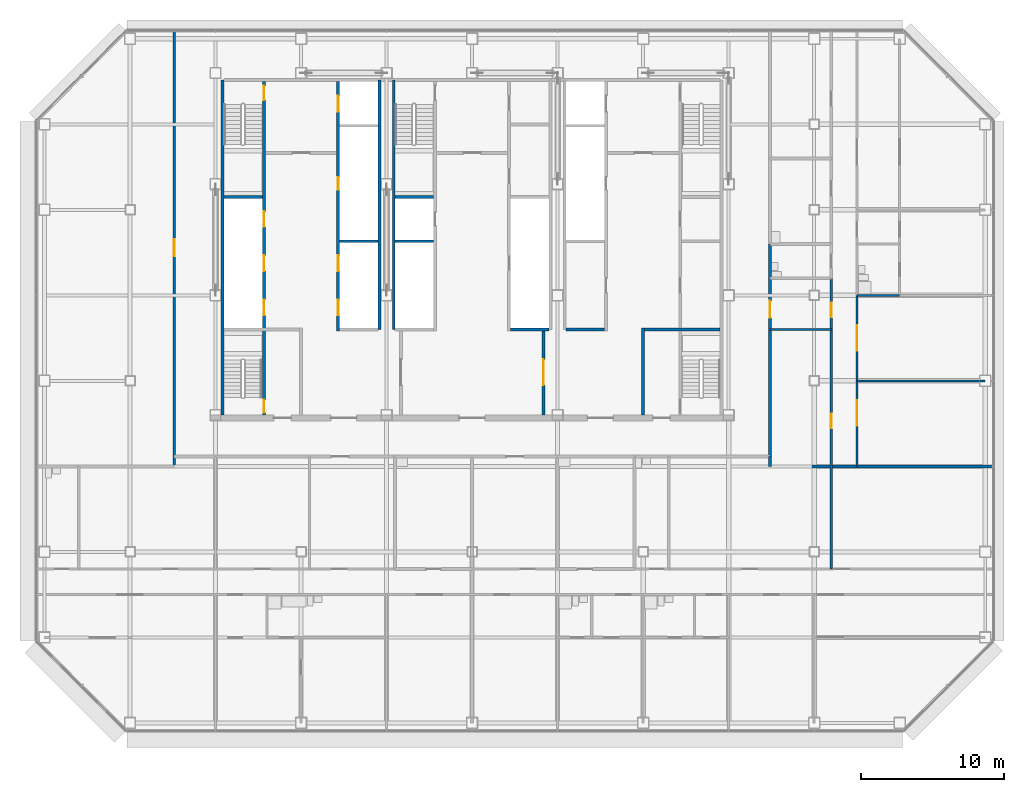
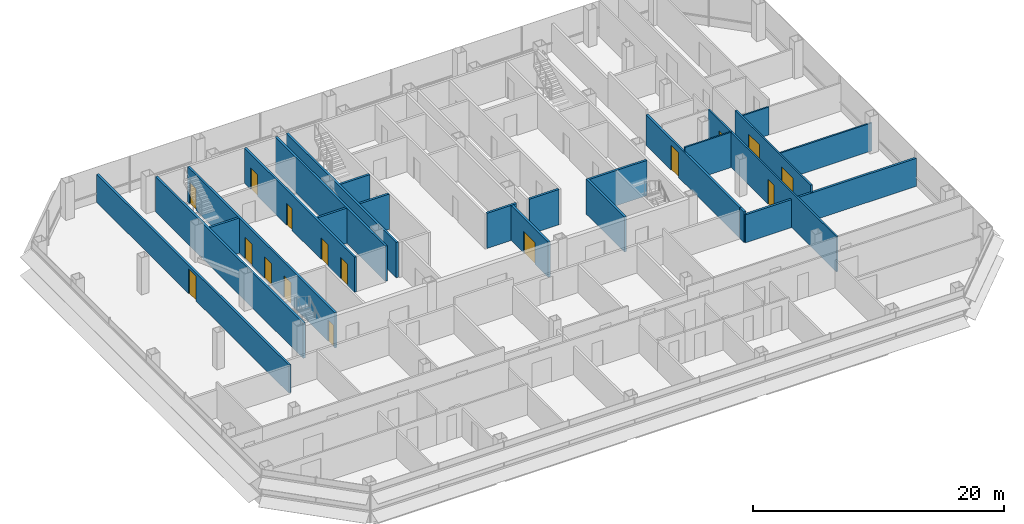
# One storey, part 21 of 25: 23 walls, 16 doors, 16 openings.
"""IFC4 building model written with IfcOpenShell, lengths in metres."""

from ifc_helpers import new_model, si_unit, direction, frame, frame_2d, origin, place, context, subcontext, project, spatial, rectangle, extrude, material, layer, layer_set, type_object, element, fill, save


model = new_model("IFC4")

# Units and contexts
model_context = context("Model", 3, precision=1e-05, world=origin(), true_north=direction((0.0, 1.0)))
body_context = subcontext(model_context, "Body", "Model", "MODEL_VIEW")
ifc_project = project(units=[si_unit("LENGTHUNIT", "METRE"), si_unit("AREAUNIT", "SQUARE_METRE"), si_unit("VOLUMEUNIT", "CUBIC_METRE"), si_unit("PLANEANGLEUNIT", "RADIAN"), si_unit("MASSUNIT", "GRAM", prefix="KILO")], contexts=[model_context])

# Site, building, storey
site_placement = place(None, origin())
site = spatial("IfcSite", under=ifc_project, at=site_placement, CompositionType="ELEMENT")
building_placement = place(site_placement, origin())
building = spatial("IfcBuilding", under=site, at=building_placement, Name="Sorahane Residences", CompositionType="ELEMENT")
storey_placement = place(building_placement, frame((0.0, 0.0, 123.199951171875)))
storey = spatial("IfcBuildingStorey", under=building, at=storey_placement, Name="L27", CompositionType="ELEMENT", Elevation=123.199951171875)

# Walls
ifc_material_1 = material(Name="Concrete C30", Category="concrete")
ifc_layer_1 = layer(ifc_material_1, 0.199951171875)
ifc_layer_set_1 = layer_set([ifc_layer_1], Name="Core face wall 200 EI 180")
wall_type_1 = type_object("IfcWallType", Name="Core face wall 200 EI 180", PredefinedType="SOLIDWALL", material=ifc_layer_set_1)
wall_1_placement = place(storey_placement, frame((6.5, 21.60009765625, 0.0), z_axis=(0.0, 0.0, 1.0), x_axis=(0.0, 1.0, 0.0)))
element("IfcWall", 1, at=wall_1_placement, inside=storey, type_object=wall_type_1, Name="L27 core face wall", PredefinedType="SOLIDWALL", context=body_context, shape_type="SweptSolid", body=[
    extrude(rectangle(XDim=23.5, YDim=0.199951171875, at=frame_2d((11.75, 0.0))), origin(), (0.0, 0.0, 1.0), 3.420166015625),
])
for number, where, z_axis, x_axis, name in (
    (2, (17.5, 27.60009765625, 0.0), (0.0, 0.0, 1.0), (0.0, 1.0, 0.0), "L27 core face wall"),
    (3, (18.5, 27.60009765625, 0.0), (0.0, 0.0, 1.0), (0.0, 1.0, 0.0), "L27 core face wall"),
):
    element("IfcWall", number, at=place(storey_placement, frame(where, z_axis=z_axis, x_axis=x_axis)), inside=storey, type_object=wall_type_1, Name=name, PredefinedType="SOLIDWALL", context=body_context, shape_type="SweptSolid", body=[
        extrude(rectangle(XDim=17.5, YDim=0.199951171875, at=frame_2d((8.75, 0.0))), origin(), (0.0, 0.0, 1.0), 3.420166015625),
    ])

# Wall, opening, door
ifc_material_2 = material(Name="Concrete blockwork C20 wall", Category="masonry")
ifc_layer_2 = layer(ifc_material_2, 0.199951171875)
ifc_layer_set_2 = layer_set([ifc_layer_2], Name="Corridor wall 200 EI 120")
wall_type_2 = type_object("IfcWallType", Name="Corridor wall 200 EI 120", PredefinedType="SOLIDWALL", material=ifc_layer_set_2)
wall_2_placement = place(storey_placement, frame((3.10009765625, 18.0, 0.0), z_axis=(0.0, 0.0, 1.0), x_axis=(0.0, 1.0, 0.0)))
wall_2 = element("IfcWall", 4, at=wall_2_placement, inside=storey, type_object=wall_type_2, Name="L27 corridor wall", PredefinedType="SOLIDWALL", context=body_context, shape_type="SweptSolid", body=[
    extrude(rectangle(XDim=30.60009765625, YDim=0.199951171875, at=frame_2d((15.300048828125, 0.0))), origin(), (0.0, 0.0, 1.0), 2.719970703125),
])
opening_1_placement = place(wall_2_placement, frame((14.75, 0.0, 0.0)))
opening_1 = element("IfcOpeningElement", 5, at=opening_1_placement, cuts=wall_2, Name="Opening L27-43", PredefinedType="OPENING", context=body_context, shape_type="SweptSolid", body=[
    extrude(rectangle(XDim=1.199951171875, YDim=2.39990234375, at=frame_2d((0.60009765625, 1.199951171875))), frame((0.0, 0.10986328125, 0.0), z_axis=(0.0, -1.0, 0.0), x_axis=(1.0, 0.0, 0.0)), (0.0, 0.0, 1.0), 0.219970703125),
])
ifc_material_3 = material(Name="Steel", Category="steel")
door_type_1 = type_object("IfcDoorType", Name="Lobby door 1200x2400 FD60", OperationType="NOTDEFINED", PredefinedType="DOOR", material=ifc_material_3)
door_1_placement = place(opening_1_placement, origin())
door_1 = element("IfcDoor", 6, at=door_1_placement, inside=storey, type_object=door_type_1, Name="Lobby door L27-43", OperationType="SINGLE_SWING_LEFT", OverallHeight=2.39990234375, OverallWidth=1.199951171875, PredefinedType="DOOR", context=body_context, shape_type="SweptSolid", body=[
    extrude(rectangle(XDim=1.199951171875, YDim=2.39990234375, at=frame_2d((0.60009765625, 1.199951171875))), frame((0.0, 0.02490234375, 0.0), z_axis=(0.0, -1.0, 0.0), x_axis=(1.0, 0.0, 0.0)), (0.0, 0.0, 1.0), 0.050048828125),
])
fill(opening_1, door_1)

wall_3_placement = place(storey_placement, frame((44.89990234375, 18.699951171875, 0.0), z_axis=(0.0, 0.0, 1.0), x_axis=(0.0, 1.0, 0.0)))
wall_3 = element("IfcWall", 7, at=wall_3_placement, inside=storey, type_object=wall_type_2, Name="L27 corridor wall", PredefinedType="SOLIDWALL", context=body_context, shape_type="SweptSolid", body=[
    extrude(rectangle(XDim=14.900146484375, YDim=0.199951171875, at=frame_2d((7.4501953125, 0.0))), origin(), (0.0, 0.0, 1.0), 2.969970703125),
])
opening_2_placement = place(wall_3_placement, frame((9.719970703125, 0.0, 0.0)))
opening_2 = element("IfcOpeningElement", 8, at=opening_2_placement, cuts=wall_3, Name="Opening L27-42", PredefinedType="OPENING", context=body_context, shape_type="SweptSolid", body=[
    extrude(rectangle(XDim=1.199951171875, YDim=2.39990234375, at=frame_2d((0.60009765625, 1.199951171875))), frame((0.0, 0.10986328125, 0.0), z_axis=(0.0, -1.0, 0.0), x_axis=(1.0, 0.0, 0.0)), (0.0, 0.0, 1.0), 0.219970703125),
])
ifc_material_4 = material(Name="Timber veneered fire door", Category="wood")
door_type_2 = type_object("IfcDoorType", Name="Flat entrance door 1200x2400 FD60", OperationType="NOTDEFINED", PredefinedType="DOOR", material=ifc_material_4)
door_2_placement = place(opening_2_placement, frame((1.199951171875, 0.0, 0.0), z_axis=(0.0, 0.0, 1.0), x_axis=(-1.0, 0.0, 0.0)))
door_2 = element("IfcDoor", 9, at=door_2_placement, inside=storey, type_object=door_type_2, Name="Flat entrance door L27-42", OperationType="SINGLE_SWING_RIGHT", OverallHeight=2.39990234375, OverallWidth=1.199951171875, PredefinedType="DOOR", context=body_context, shape_type="SweptSolid", body=[
    extrude(rectangle(XDim=1.199951171875, YDim=2.39990234375, at=frame_2d((0.60009765625, 1.199951171875))), frame((0.0, 0.02490234375, 0.0), z_axis=(0.0, -1.0, 0.0), x_axis=(1.0, 0.0, 0.0)), (0.0, 0.0, 1.0), 0.050048828125),
])
fill(opening_2, door_2)

# Wall
ifc_material_5 = material(Name="Concrete C30", Category="concrete")
ifc_layer_3 = layer(ifc_material_5, 0.199951171875)
ifc_layer_set_3 = layer_set([ifc_layer_3], Name="Front room wall 200 EI 120")
wall_type_3 = type_object("IfcWallType", Name="Front room wall 200 EI 120", PredefinedType="PARTITIONING", material=ifc_layer_set_3)
wall_4_placement = place(storey_placement, frame((36.0, 21.60009765625, 0.0), z_axis=(0.0, 0.0, 1.0), x_axis=(0.0, 1.0, 0.0)))
element("IfcWall", 10, at=wall_4_placement, inside=storey, type_object=wall_type_3, Name="L27 front room wall", PredefinedType="PARTITIONING", context=body_context, shape_type="SweptSolid", body=[
    extrude(rectangle(XDim=6.099853515625, YDim=0.199951171875, at=frame_2d((3.0498046875, 0.0))), origin(), (0.0, 0.0, 1.0), 3.420166015625),
])

# Wall, openings, doors
ifc_material_6 = material(Name="Concrete C30", Category="concrete")
ifc_layer_4 = layer(ifc_material_6, 0.199951171875)
ifc_layer_set_4 = layer_set([ifc_layer_4], Name="Lift shaft wall 200 EI 120")
wall_type_4 = type_object("IfcWallType", Name="Lift shaft wall 200 EI 120", PredefinedType="SOLIDWALL", material=ifc_layer_set_4)
wall_5_placement = place(storey_placement, frame((14.60009765625, 27.5, 0.0), z_axis=(0.0, 0.0, 1.0), x_axis=(0.0, 1.0, 0.0)))
wall_5 = element("IfcWall", 11, at=wall_5_placement, inside=storey, type_object=wall_type_4, Name="L27 lift shaft wall", PredefinedType="SOLIDWALL", context=body_context, shape_type="SweptSolid", body=[
    extrude(rectangle(XDim=17.5, YDim=0.199951171875, at=frame_2d((8.75, 0.0))), origin(), (0.0, 0.0, 1.0), 3.420166015625),
])
opening_3_placement = place(wall_5_placement, frame((1.10009765625, 0.0, 0.0)))
opening_3 = element("IfcOpeningElement", 12, at=opening_3_placement, cuts=wall_5, Name="Opening L27-C12", PredefinedType="OPENING", context=body_context, shape_type="SweptSolid", body=[
    extrude(rectangle(XDim=1.10009765625, YDim=2.10009765625, at=frame_2d((0.550048828125, 1.050048828125))), frame((0.0, 0.10986328125, 0.0), z_axis=(0.0, -1.0, 0.0), x_axis=(1.0, 0.0, 0.0)), (0.0, 0.0, 1.0), 0.219970703125),
])
opening_4_placement = place(wall_5_placement, frame((4.199951171875, 0.0, 0.0)))
opening_4 = element("IfcOpeningElement", 13, at=opening_4_placement, cuts=wall_5, Name="Opening L27-C13", PredefinedType="OPENING", context=body_context, shape_type="SweptSolid", body=[
    extrude(rectangle(XDim=1.10009765625, YDim=2.10009765625, at=frame_2d((0.550048828125, 1.050048828125))), frame((0.0, 0.10986328125, 0.0), z_axis=(0.0, -1.0, 0.0), x_axis=(1.0, 0.0, 0.0)), (0.0, 0.0, 1.0), 0.219970703125),
])
opening_5_placement = place(wall_5_placement, frame((15.39990234375, 0.0, 0.0)))
opening_5 = element("IfcOpeningElement", 14, at=opening_5_placement, cuts=wall_5, Name="Opening L27-C14", PredefinedType="OPENING", context=body_context, shape_type="SweptSolid", body=[
    extrude(rectangle(XDim=1.10009765625, YDim=2.10009765625, at=frame_2d((0.550048828125, 1.050048828125))), frame((0.0, 0.10986328125, 0.0), z_axis=(0.0, -1.0, 0.0), x_axis=(1.0, 0.0, 0.0)), (0.0, 0.0, 1.0), 0.219970703125),
])
opening_6_placement = place(wall_5_placement, frame((9.89990234375, 0.0, 0.0)))
opening_6 = element("IfcOpeningElement", 15, at=opening_6_placement, cuts=wall_5, Name="Opening L27-C26", PredefinedType="OPENING", context=body_context, shape_type="SweptSolid", body=[
    extrude(rectangle(XDim=0.89990234375, YDim=2.10009765625, at=frame_2d((0.449951171875, 1.050048828125))), frame((0.0, 0.10986328125, 0.0), z_axis=(0.0, -1.0, 0.0), x_axis=(1.0, 0.0, 0.0)), (0.0, 0.0, 1.0), 0.219970703125),
])
ifc_material_7 = material(Name="Aluminium and stainless steel", Category="steel")
door_type_3 = type_object("IfcDoorType", Name="Lift landing door 1100x2100 E 60", OperationType="NOTDEFINED", PredefinedType="DOOR", material=ifc_material_7)
door_3_placement = place(opening_3_placement, origin())
door_3 = element("IfcDoor", 16, at=door_3_placement, inside=storey, type_object=door_type_3, Name="Lift landing door LR4 L27", OperationType="DOUBLE_DOOR_SLIDING", OverallHeight=2.10009765625, OverallWidth=1.10009765625, PredefinedType="DOOR", context=body_context, shape_type="SweptSolid", body=[
    extrude(rectangle(XDim=1.10009765625, YDim=2.10009765625, at=frame_2d((0.550048828125, 1.050048828125))), frame((0.0, 0.02490234375, 0.0), z_axis=(0.0, -1.0, 0.0), x_axis=(1.0, 0.0, 0.0)), (0.0, 0.0, 1.0), 0.050048828125),
])
fill(opening_3, door_3)
door_4_placement = place(opening_4_placement, origin())
door_4 = element("IfcDoor", 17, at=door_4_placement, inside=storey, type_object=door_type_3, Name="Lift landing door LR5 L27", OperationType="DOUBLE_DOOR_SLIDING", OverallHeight=2.10009765625, OverallWidth=1.10009765625, PredefinedType="DOOR", context=body_context, shape_type="SweptSolid", body=[
    extrude(rectangle(XDim=1.10009765625, YDim=2.10009765625, at=frame_2d((0.550048828125, 1.050048828125))), frame((0.0, 0.02490234375, 0.0), z_axis=(0.0, -1.0, 0.0), x_axis=(1.0, 0.0, 0.0)), (0.0, 0.0, 1.0), 0.050048828125),
])
fill(opening_4, door_4)
door_5_placement = place(opening_5_placement, origin())
door_5 = element("IfcDoor", 18, at=door_5_placement, inside=storey, type_object=door_type_3, Name="Lift landing door FF1 L27", OperationType="DOUBLE_DOOR_SLIDING", OverallHeight=2.10009765625, OverallWidth=1.10009765625, PredefinedType="DOOR", context=body_context, shape_type="SweptSolid", body=[
    extrude(rectangle(XDim=1.10009765625, YDim=2.10009765625, at=frame_2d((0.550048828125, 1.050048828125))), frame((0.0, 0.02490234375, 0.0), z_axis=(0.0, -1.0, 0.0), x_axis=(1.0, 0.0, 0.0)), (0.0, 0.0, 1.0), 0.050048828125),
])
fill(opening_5, door_5)
ifc_material_8 = material(Name="Steel", Category="steel")
door_type_4 = type_object("IfcDoorType", Name="Riser door 900x2100 FD120", OperationType="NOTDEFINED", PredefinedType="DOOR", material=ifc_material_8)
door_6_placement = place(opening_6_placement, origin())
door_6 = element("IfcDoor", 19, at=door_6_placement, inside=storey, type_object=door_type_4, Name="Riser door R1 L27", OperationType="SINGLE_SWING_LEFT", OverallHeight=2.10009765625, OverallWidth=0.89990234375, PredefinedType="DOOR", context=body_context, shape_type="SweptSolid", body=[
    extrude(rectangle(XDim=0.89990234375, YDim=2.10009765625, at=frame_2d((0.449951171875, 1.050048828125))), frame((0.0, 0.02490234375, 0.0), z_axis=(0.0, -1.0, 0.0), x_axis=(1.0, 0.0, 0.0)), (0.0, 0.0, 1.0), 0.050048828125),
])
fill(opening_6, door_6)

# Walls
for number, where, z_axis, x_axis, name in (
    (20, (14.699951171875, 33.800048828125, 0.0), (0.0, 0.0, 1.0), (1.0, 0.0, 0.0), "L27 lift shaft wall"),
    (21, (18.60009765625, 33.800048828125, 0.0), (0.0, 0.0, 1.0), (1.0, 0.0, 0.0), "L27 lift shaft wall"),
):
    element("IfcWall", number, at=place(storey_placement, frame(where, z_axis=z_axis, x_axis=x_axis)), inside=storey, type_object=wall_type_4, Name=name, PredefinedType="SOLIDWALL", context=body_context, shape_type="SweptSolid", body=[
        extrude(rectangle(XDim=2.699951171875, YDim=0.199951171875, at=frame_2d((1.35009765625, 0.0))), origin(), (0.0, 0.0, 1.0), 3.420166015625),
    ])

# Wall, openings, doors
ifc_material_9 = material(Name="Gypsum board partition on steel studs", Category="steel")
ifc_layer_5 = layer(ifc_material_9, 0.14990234375)
ifc_layer_set_5 = layer_set([ifc_layer_5], Name="Partition 150 EI 90")
wall_type_5 = type_object("IfcWallType", Name="Partition 150 EI 90", PredefinedType="PARTITIONING", material=ifc_layer_set_5)
wall_6_placement = place(storey_placement, frame((49.199951171875, 10.800048828125, 0.0), z_axis=(0.0, 0.0, 1.0), x_axis=(0.0, 1.0, 0.0)))
wall_6 = element("IfcWall", 22, at=wall_6_placement, inside=storey, type_object=wall_type_5, Name="L27 partition", PredefinedType="PARTITIONING", context=body_context, shape_type="SweptSolid", body=[
    extrude(rectangle(XDim=20.39990234375, YDim=0.14990234375, at=frame_2d((10.199951171875, 0.0))), origin(), (0.0, 0.0, 1.0), 3.420166015625),
])
opening_7_placement = place(wall_6_placement, frame((17.679931640625, 0.0, 0.0)))
opening_7 = element("IfcOpeningElement", 23, at=opening_7_placement, cuts=wall_6, Name="Opening L27-28", PredefinedType="OPENING", context=body_context, shape_type="SweptSolid", body=[
    extrude(rectangle(XDim=1.0, YDim=2.39990234375, at=frame_2d((0.5, 1.199951171875))), frame((0.0, 0.0849609375, 0.0), z_axis=(0.0, -1.0, 0.0), x_axis=(1.0, 0.0, 0.0)), (0.0, 0.0, 1.0), 0.169921875),
])
opening_8_placement = place(wall_6_placement, frame((9.8798828125, 0.0, 0.0)))
opening_8 = element("IfcOpeningElement", 24, at=opening_8_placement, cuts=wall_6, Name="Opening L27-29", PredefinedType="OPENING", context=body_context, shape_type="SweptSolid", body=[
    extrude(rectangle(XDim=1.0, YDim=2.39990234375, at=frame_2d((0.5, 1.199951171875))), frame((0.0, 0.0849609375, 0.0), z_axis=(0.0, -1.0, 0.0), x_axis=(1.0, 0.0, 0.0)), (0.0, 0.0, 1.0), 0.169921875),
])
ifc_material_10 = material(Name="Timber veneered fire door", Category="wood")
door_type_5 = type_object("IfcDoorType", Name="Room door 1000x2400 FD30", OperationType="NOTDEFINED", PredefinedType="DOOR", material=ifc_material_10)
door_7_placement = place(opening_7_placement, frame((1.0, 0.0, 0.0), z_axis=(0.0, 0.0, 1.0), x_axis=(-1.0, 0.0, 0.0)))
door_7 = element("IfcDoor", 25, at=door_7_placement, inside=storey, type_object=door_type_5, Name="Room door L27-28", OperationType="SINGLE_SWING_RIGHT", OverallHeight=2.39990234375, OverallWidth=1.0, PredefinedType="DOOR", context=body_context, shape_type="SweptSolid", body=[
    extrude(rectangle(XDim=1.0, YDim=2.39990234375, at=frame_2d((0.5, 1.199951171875))), frame((0.0, 0.02490234375, 0.0), z_axis=(0.0, -1.0, 0.0), x_axis=(1.0, 0.0, 0.0)), (0.0, 0.0, 1.0), 0.050048828125),
])
fill(opening_7, door_7)
door_8_placement = place(opening_8_placement, origin())
door_8 = element("IfcDoor", 26, at=door_8_placement, inside=storey, type_object=door_type_5, Name="Room door L27-29", OperationType="SINGLE_SWING_RIGHT", OverallHeight=2.39990234375, OverallWidth=1.0, PredefinedType="DOOR", context=body_context, shape_type="SweptSolid", body=[
    extrude(rectangle(XDim=1.0, YDim=2.39990234375, at=frame_2d((0.5, 1.199951171875))), frame((0.0, 0.02490234375, 0.0), z_axis=(0.0, -1.0, 0.0), x_axis=(1.0, 0.0, 0.0)), (0.0, 0.0, 1.0), 0.050048828125),
])
fill(opening_8, door_8)

wall_7_placement = place(storey_placement, frame((51.0, 18.0, 0.0), z_axis=(0.0, 0.0, 1.0), x_axis=(0.0, 1.0, 0.0)))
wall_7 = element("IfcWall", 27, at=wall_7_placement, inside=storey, type_object=wall_type_5, Name="L27 partition", PredefinedType="PARTITIONING", context=body_context, shape_type="SweptSolid", body=[
    extrude(rectangle(XDim=12.0, YDim=0.14990234375, at=frame_2d((6.0, 0.0))), origin(), (0.0, 0.0, 1.0), 3.420166015625),
])
opening_9_placement = place(wall_7_placement, frame((2.840087890625, 0.0, 0.0)))
opening_9 = element("IfcOpeningElement", 28, at=opening_9_placement, cuts=wall_7, Name="Opening L27-33", PredefinedType="OPENING", context=body_context, shape_type="SweptSolid", body=[
    extrude(rectangle(XDim=1.800048828125, YDim=2.39990234375, at=frame_2d((0.89990234375, 1.199951171875))), frame((0.0, 0.0849609375, 0.0), z_axis=(0.0, -1.0, 0.0), x_axis=(1.0, 0.0, 0.0)), (0.0, 0.0, 1.0), 0.169921875),
])
opening_10_placement = place(wall_7_placement, frame((8.10009765625, 0.0, 0.0)))
opening_10 = element("IfcOpeningElement", 29, at=opening_10_placement, cuts=wall_7, Name="Opening L27-34", PredefinedType="OPENING", context=body_context, shape_type="SweptSolid", body=[
    extrude(rectangle(XDim=1.800048828125, YDim=2.39990234375, at=frame_2d((0.89990234375, 1.199951171875))), frame((0.0, 0.0849609375, 0.0), z_axis=(0.0, -1.0, 0.0), x_axis=(1.0, 0.0, 0.0)), (0.0, 0.0, 1.0), 0.169921875),
])
ifc_material_11 = material(Name="Timber veneered fire door", Category="wood")
door_type_6 = type_object("IfcDoorType", Name="Double door 1800x2400 FD30", OperationType="NOTDEFINED", PredefinedType="DOOR", material=ifc_material_11)
door_9_placement = place(opening_9_placement, frame((1.800048828125, 0.0, 0.0), z_axis=(0.0, 0.0, 1.0), x_axis=(-1.0, 0.0, 0.0)))
door_9 = element("IfcDoor", 30, at=door_9_placement, inside=storey, type_object=door_type_6, Name="Double door L27-33", OperationType="SINGLE_SWING_RIGHT", OverallHeight=2.39990234375, OverallWidth=1.800048828125, PredefinedType="DOOR", context=body_context, shape_type="SweptSolid", body=[
    extrude(rectangle(XDim=1.800048828125, YDim=2.39990234375, at=frame_2d((0.89990234375, 1.199951171875))), frame((0.0, 0.02490234375, 0.0), z_axis=(0.0, -1.0, 0.0), x_axis=(1.0, 0.0, 0.0)), (0.0, 0.0, 1.0), 0.050048828125),
])
fill(opening_9, door_9)
door_10_placement = place(opening_10_placement, frame((1.800048828125, 0.0, 0.0), z_axis=(0.0, 0.0, 1.0), x_axis=(-1.0, 0.0, 0.0)))
door_10 = element("IfcDoor", 31, at=door_10_placement, inside=storey, type_object=door_type_6, Name="Double door L27-34", OperationType="SINGLE_SWING_LEFT", OverallHeight=2.39990234375, OverallWidth=1.800048828125, PredefinedType="DOOR", context=body_context, shape_type="SweptSolid", body=[
    extrude(rectangle(XDim=1.800048828125, YDim=2.39990234375, at=frame_2d((0.89990234375, 1.199951171875))), frame((0.0, 0.02490234375, 0.0), z_axis=(0.0, -1.0, 0.0), x_axis=(1.0, 0.0, 0.0)), (0.0, 0.0, 1.0), 0.050048828125),
])
fill(opening_10, door_10)

# Walls
wall_8_placement = place(storey_placement, frame((51.0, 24.0, 0.0), z_axis=(0.0, 0.0, 1.0), x_axis=(1.0, 0.0, 0.0)))
element("IfcWall", 32, at=wall_8_placement, inside=storey, type_object=wall_type_5, Name="L27 partition", PredefinedType="PARTITIONING", context=body_context, shape_type="SweptSolid", body=[
    extrude(rectangle(XDim=9.0, YDim=0.14990234375, at=frame_2d((4.5, 0.0))), origin(), (0.0, 0.0, 1.0), 2.719970703125),
])
wall_9_placement = place(storey_placement, frame((44.89990234375, 27.60009765625, 0.0), z_axis=(0.0, 0.0, 1.0), x_axis=(1.0, 0.0, 0.0)))
element("IfcWall", 33, at=wall_9_placement, inside=storey, type_object=wall_type_5, Name="L27 partition", PredefinedType="PARTITIONING", context=body_context, shape_type="SweptSolid", body=[
    extrude(rectangle(XDim=4.300048828125, YDim=0.14990234375, at=frame_2d((2.14990234375, 0.0))), origin(), (0.0, 0.0, 1.0), 3.420166015625),
])
ifc_material_12 = material(Name="Concrete blockwork C20 wall", Category="masonry")
ifc_layer_6 = layer(ifc_material_12, 0.199951171875)
ifc_layer_set_6 = layer_set([ifc_layer_6], Name="Party wall 200 EI 120")
wall_type_6 = type_object("IfcWallType", Name="Party wall 200 EI 120", PredefinedType="SOLIDWALL", material=ifc_layer_set_6)
wall_10_placement = place(storey_placement, frame((44.89990234375, 18.0, 0.0), z_axis=(0.0, 0.0, 1.0), x_axis=(0.0, 1.0, 0.0)))
element("IfcWall", 34, at=wall_10_placement, inside=storey, type_object=wall_type_6, Name="L27 party wall", PredefinedType="SOLIDWALL", context=body_context, shape_type="SweptSolid", body=[
    extrude(rectangle(XDim=0.699951171875, YDim=0.199951171875, at=frame_2d((0.35009765625, 0.0))), origin(), (0.0, 0.0, 1.0), 2.969970703125),
])
wall_11_placement = place(storey_placement, frame((44.89990234375, 18.0, 0.0), z_axis=(0.0, 0.0, 1.0), x_axis=(1.0, 0.0, 0.0)))
element("IfcWall", 35, at=wall_11_placement, inside=storey, type_object=wall_type_6, Name="L27 party wall", PredefinedType="SOLIDWALL", context=body_context, shape_type="SweptSolid", body=[
    extrude(rectangle(XDim=15.7001953125, YDim=0.199951171875, at=frame_2d((7.85009765625, 0.0))), origin(), (0.0, 0.0, 1.0), 2.719970703125),
])
ifc_material_13 = material(Name="Concrete C30", Category="concrete")
ifc_layer_7 = layer(ifc_material_13, 0.199951171875)
ifc_layer_set_7 = layer_set([ifc_layer_7], Name="Riser shaft wall 200 EI 120")
wall_type_7 = type_object("IfcWallType", Name="Riser shaft wall 200 EI 120", PredefinedType="SOLIDWALL", material=ifc_layer_set_7)
wall_12_placement = place(storey_placement, frame((26.699951171875, 27.60009765625, 0.0), z_axis=(0.0, 0.0, 1.0), x_axis=(1.0, 0.0, 0.0)))
element("IfcWall", 36, at=wall_12_placement, inside=storey, type_object=wall_type_7, Name="L27 riser wall", PredefinedType="SOLIDWALL", context=body_context, shape_type="SweptSolid", body=[
    extrude(rectangle(XDim=2.699951171875, YDim=0.199951171875, at=frame_2d((1.35009765625, 0.0))), origin(), (0.0, 0.0, 1.0), 3.420166015625),
])

# Wall, opening, door
ifc_material_14 = material(Name="Concrete C30", Category="concrete")
ifc_layer_8 = layer(ifc_material_14, 0.199951171875)
ifc_layer_set_8 = layer_set([ifc_layer_8], Name="Service room partition 200 EI 60")
wall_type_8 = type_object("IfcWallType", Name="Service room partition 200 EI 60", PredefinedType="PARTITIONING", material=ifc_layer_set_8)
wall_13_placement = place(storey_placement, frame((29.0, 21.60009765625, 0.0), z_axis=(0.0, 0.0, 1.0), x_axis=(0.0, 1.0, 0.0)))
wall_13 = element("IfcWall", 37, at=wall_13_placement, inside=storey, type_object=wall_type_8, Name="L27 service room wall", PredefinedType="PARTITIONING", context=body_context, shape_type="SweptSolid", body=[
    extrude(rectangle(XDim=6.0, YDim=0.199951171875, at=frame_2d((3.0, 0.0))), origin(), (0.0, 0.0, 1.0), 3.420166015625),
])
opening_11_placement = place(wall_13_placement, frame((2.10009765625, 0.0, 0.0)))
opening_11 = element("IfcOpeningElement", 38, at=opening_11_placement, cuts=wall_13, Name="Opening L27-C04", PredefinedType="OPENING", context=body_context, shape_type="SweptSolid", body=[
    extrude(rectangle(XDim=1.800048828125, YDim=2.10009765625, at=frame_2d((0.89990234375, 1.050048828125))), frame((0.0, 0.10986328125, 0.0), z_axis=(0.0, -1.0, 0.0), x_axis=(1.0, 0.0, 0.0)), (0.0, 0.0, 1.0), 0.219970703125),
])
ifc_material_15 = material(Name="Steel", Category="steel")
door_type_7 = type_object("IfcDoorType", Name="Waiting hall door 1800x2100 FD60", OperationType="NOTDEFINED", PredefinedType="DOOR", material=ifc_material_15)
door_11_placement = place(opening_11_placement, origin())
door_11 = element("IfcDoor", 39, at=door_11_placement, inside=storey, type_object=door_type_7, Name="Waiting hall door Residents' waiting hall centre L27", OperationType="SINGLE_SWING_LEFT", OverallHeight=2.10009765625, OverallWidth=1.800048828125, PredefinedType="DOOR", context=body_context, shape_type="SweptSolid", body=[
    extrude(rectangle(XDim=1.800048828125, YDim=2.10009765625, at=frame_2d((0.89990234375, 1.050048828125))), frame((0.0, 0.02490234375, 0.0), z_axis=(0.0, -1.0, 0.0), x_axis=(1.0, 0.0, 0.0)), (0.0, 0.0, 1.0), 0.050048828125),
])
fill(opening_11, door_11)

# Wall
wall_14_placement = place(storey_placement, frame((30.60009765625, 27.60009765625, 0.0), z_axis=(0.0, 0.0, 1.0), x_axis=(1.0, 0.0, 0.0)))
element("IfcWall", 40, at=wall_14_placement, inside=storey, type_object=wall_type_8, Name="L27 service room wall", PredefinedType="PARTITIONING", context=body_context, shape_type="SweptSolid", body=[
    extrude(rectangle(XDim=2.699951171875, YDim=0.199951171875, at=frame_2d((1.35009765625, 0.0))), origin(), (0.0, 0.0, 1.0), 3.420166015625),
])

# Wall, openings, doors
ifc_material_16 = material(Name="Concrete C30", Category="concrete")
ifc_layer_9 = layer(ifc_material_16, 0.199951171875)
ifc_layer_set_9 = layer_set([ifc_layer_9], Name="Stair enclosure wall 200 EI 120")
wall_type_9 = type_object("IfcWallType", Name="Stair enclosure wall 200 EI 120", PredefinedType="SOLIDWALL", material=ifc_layer_set_9)
wall_15_placement = place(storey_placement, frame((9.39990234375, 21.60009765625, 0.0), z_axis=(0.0, 0.0, 1.0), x_axis=(0.0, 1.0, 0.0)))
wall_15 = element("IfcWall", 41, at=wall_15_placement, inside=storey, type_object=wall_type_9, Name="L27 stair enclosure wall", PredefinedType="SOLIDWALL", context=body_context, shape_type="SweptSolid", body=[
    extrude(rectangle(XDim=23.39990234375, YDim=0.199951171875, at=frame_2d((11.699951171875, 0.0))), origin(), (0.0, 0.0, 1.0), 3.420166015625),
])
opening_12_placement = place(wall_15_placement, frame((7.0, 0.0, 0.0)))
opening_12 = element("IfcOpeningElement", 42, at=opening_12_placement, cuts=wall_15, Name="Opening L27-C15", PredefinedType="OPENING", context=body_context, shape_type="SweptSolid", body=[
    extrude(rectangle(XDim=1.10009765625, YDim=2.10009765625, at=frame_2d((0.550048828125, 1.050048828125))), frame((0.0, 0.10986328125, 0.0), z_axis=(0.0, -1.0, 0.0), x_axis=(1.0, 0.0, 0.0)), (0.0, 0.0, 1.0), 0.219970703125),
])
opening_13_placement = place(wall_15_placement, frame((10.10009765625, 0.0, 0.0)))
opening_13 = element("IfcOpeningElement", 43, at=opening_13_placement, cuts=wall_15, Name="Opening L27-C16", PredefinedType="OPENING", context=body_context, shape_type="SweptSolid", body=[
    extrude(rectangle(XDim=1.10009765625, YDim=2.10009765625, at=frame_2d((0.550048828125, 1.050048828125))), frame((0.0, 0.10986328125, 0.0), z_axis=(0.0, -1.0, 0.0), x_axis=(1.0, 0.0, 0.0)), (0.0, 0.0, 1.0), 0.219970703125),
])
opening_14_placement = place(wall_15_placement, frame((13.199951171875, 0.0, 0.0)))
opening_14 = element("IfcOpeningElement", 44, at=opening_14_placement, cuts=wall_15, Name="Opening L27-C17", PredefinedType="OPENING", context=body_context, shape_type="SweptSolid", body=[
    extrude(rectangle(XDim=1.10009765625, YDim=2.10009765625, at=frame_2d((0.550048828125, 1.050048828125))), frame((0.0, 0.10986328125, 0.0), z_axis=(0.0, -1.0, 0.0), x_axis=(1.0, 0.0, 0.0)), (0.0, 0.0, 1.0), 0.219970703125),
])
opening_15_placement = place(wall_15_placement, frame((22.10009765625, 0.0, 0.0)))
opening_15 = element("IfcOpeningElement", 45, at=opening_15_placement, cuts=wall_15, Name="Opening L27-C21", PredefinedType="OPENING", context=body_context, shape_type="SweptSolid", body=[
    extrude(rectangle(XDim=1.0, YDim=2.10009765625, at=frame_2d((0.5, 1.050048828125))), frame((0.0, 0.10986328125, 0.0), z_axis=(0.0, -1.0, 0.0), x_axis=(1.0, 0.0, 0.0)), (0.0, 0.0, 1.0), 0.219970703125),
])
opening_16_placement = place(wall_15_placement, frame((0.175048828125, 0.0, 0.0)))
opening_16 = element("IfcOpeningElement", 46, at=opening_16_placement, cuts=wall_15, Name="Opening L27-C24", PredefinedType="OPENING", context=body_context, shape_type="SweptSolid", body=[
    extrude(rectangle(XDim=0.89990234375, YDim=2.10009765625, at=frame_2d((0.449951171875, 1.050048828125))), frame((0.0, 0.10986328125, 0.0), z_axis=(0.0, -1.0, 0.0), x_axis=(1.0, 0.0, 0.0)), (0.0, 0.0, 1.0), 0.219970703125),
])
door_12_placement = place(opening_12_placement, origin())
door_12 = element("IfcDoor", 47, at=door_12_placement, inside=storey, type_object=door_type_3, Name="Lift landing door LR1 L27", OperationType="DOUBLE_DOOR_SLIDING", OverallHeight=2.10009765625, OverallWidth=1.10009765625, PredefinedType="DOOR", context=body_context, shape_type="SweptSolid", body=[
    extrude(rectangle(XDim=1.10009765625, YDim=2.10009765625, at=frame_2d((0.550048828125, 1.050048828125))), frame((0.0, 0.02490234375, 0.0), z_axis=(0.0, -1.0, 0.0), x_axis=(1.0, 0.0, 0.0)), (0.0, 0.0, 1.0), 0.050048828125),
])
fill(opening_12, door_12)
door_13_placement = place(opening_13_placement, origin())
door_13 = element("IfcDoor", 48, at=door_13_placement, inside=storey, type_object=door_type_3, Name="Lift landing door LR2 L27", OperationType="DOUBLE_DOOR_SLIDING", OverallHeight=2.10009765625, OverallWidth=1.10009765625, PredefinedType="DOOR", context=body_context, shape_type="SweptSolid", body=[
    extrude(rectangle(XDim=1.10009765625, YDim=2.10009765625, at=frame_2d((0.550048828125, 1.050048828125))), frame((0.0, 0.02490234375, 0.0), z_axis=(0.0, -1.0, 0.0), x_axis=(1.0, 0.0, 0.0)), (0.0, 0.0, 1.0), 0.050048828125),
])
fill(opening_13, door_13)
door_14_placement = place(opening_14_placement, origin())
door_14 = element("IfcDoor", 49, at=door_14_placement, inside=storey, type_object=door_type_3, Name="Lift landing door LR3 L27", OperationType="DOUBLE_DOOR_SLIDING", OverallHeight=2.10009765625, OverallWidth=1.10009765625, PredefinedType="DOOR", context=body_context, shape_type="SweptSolid", body=[
    extrude(rectangle(XDim=1.10009765625, YDim=2.10009765625, at=frame_2d((0.550048828125, 1.050048828125))), frame((0.0, 0.02490234375, 0.0), z_axis=(0.0, -1.0, 0.0), x_axis=(1.0, 0.0, 0.0)), (0.0, 0.0, 1.0), 0.050048828125),
])
fill(opening_14, door_14)
ifc_material_17 = material(Name="Steel", Category="steel")
door_type_8 = type_object("IfcDoorType", Name="Stair door 1000x2100 FD120", OperationType="NOTDEFINED", PredefinedType="DOOR", material=ifc_material_17)
door_15_placement = place(opening_15_placement, origin())
door_15 = element("IfcDoor", 50, at=door_15_placement, inside=storey, type_object=door_type_8, Name="Stair door S1 L27", OperationType="SINGLE_SWING_LEFT", OverallHeight=2.10009765625, OverallWidth=1.0, PredefinedType="DOOR", context=body_context, shape_type="SweptSolid", body=[
    extrude(rectangle(XDim=1.0, YDim=2.10009765625, at=frame_2d((0.5, 1.050048828125))), frame((0.0, 0.02490234375, 0.0), z_axis=(0.0, -1.0, 0.0), x_axis=(1.0, 0.0, 0.0)), (0.0, 0.0, 1.0), 0.050048828125),
])
fill(opening_15, door_15)
ifc_material_18 = material(Name="Steel", Category="steel")
door_type_9 = type_object("IfcDoorType", Name="Stair door 900x2100 FD120", OperationType="NOTDEFINED", PredefinedType="DOOR", material=ifc_material_18)
door_16_placement = place(opening_16_placement, origin())
door_16 = element("IfcDoor", 51, at=door_16_placement, inside=storey, type_object=door_type_9, Name="Stair door S4 L27", OperationType="SINGLE_SWING_LEFT", OverallHeight=2.10009765625, OverallWidth=0.89990234375, PredefinedType="DOOR", context=body_context, shape_type="SweptSolid", body=[
    extrude(rectangle(XDim=0.89990234375, YDim=2.10009765625, at=frame_2d((0.449951171875, 1.050048828125))), frame((0.0, 0.02490234375, 0.0), z_axis=(0.0, -1.0, 0.0), x_axis=(1.0, 0.0, 0.0)), (0.0, 0.0, 1.0), 0.050048828125),
])
fill(opening_16, door_16)

# Walls
wall_16_placement = place(storey_placement, frame((36.10009765625, 27.60009765625, 0.0), z_axis=(0.0, 0.0, 1.0), x_axis=(1.0, 0.0, 0.0)))
element("IfcWall", 52, at=wall_16_placement, inside=storey, type_object=wall_type_9, Name="L27 stair enclosure wall", PredefinedType="SOLIDWALL", context=body_context, shape_type="SweptSolid", body=[
    extrude(rectangle(XDim=5.2998046875, YDim=0.199951171875, at=frame_2d((2.64990234375, 0.0))), origin(), (0.0, 0.0, 1.0), 3.420166015625),
])
for number, where, z_axis, x_axis, name in (
    (53, (18.60009765625, 36.89990234375, 0.0), (0.0, 0.0, 1.0), (1.0, 0.0, 0.0), "L27 stair enclosure wall"),
    (54, (6.60009765625, 36.89990234375, 0.0), (0.0, 0.0, 1.0), (1.0, 0.0, 0.0), "L27 stair enclosure wall"),
):
    element("IfcWall", number, at=place(storey_placement, frame(where, z_axis=z_axis, x_axis=x_axis)), inside=storey, type_object=wall_type_9, Name=name, PredefinedType="SOLIDWALL", context=body_context, shape_type="SweptSolid", body=[
        extrude(rectangle(XDim=2.699951171875, YDim=0.199951171875, at=frame_2d((1.35009765625, 0.0))), origin(), (0.0, 0.0, 1.0), 3.420166015625),
    ])
ifc_material_19 = material(Name="Gypsum board partition on steel studs", Category="steel")
ifc_layer_10 = layer(ifc_material_19, 0.14990234375)
ifc_layer_set_10 = layer_set([ifc_layer_10], Name="Wet wall 150 EI 90")
wall_type_10 = type_object("IfcWallType", Name="Wet wall 150 EI 90", PredefinedType="PARTITIONING", material=ifc_layer_set_10)
wall_17_placement = place(storey_placement, frame((51.0, 30.0, 0.0), z_axis=(0.0, 0.0, 1.0), x_axis=(1.0, 0.0, 0.0)))
element("IfcWall", 55, at=wall_17_placement, inside=storey, type_object=wall_type_10, Name="L27 wet wall", PredefinedType="PARTITIONING", context=body_context, shape_type="SweptSolid", body=[
    extrude(rectangle(XDim=3.0, YDim=0.14990234375, at=frame_2d((1.5, 0.0))), origin(), (0.0, 0.0, 1.0), 2.719970703125),
])

save(model, "model.ifc")
